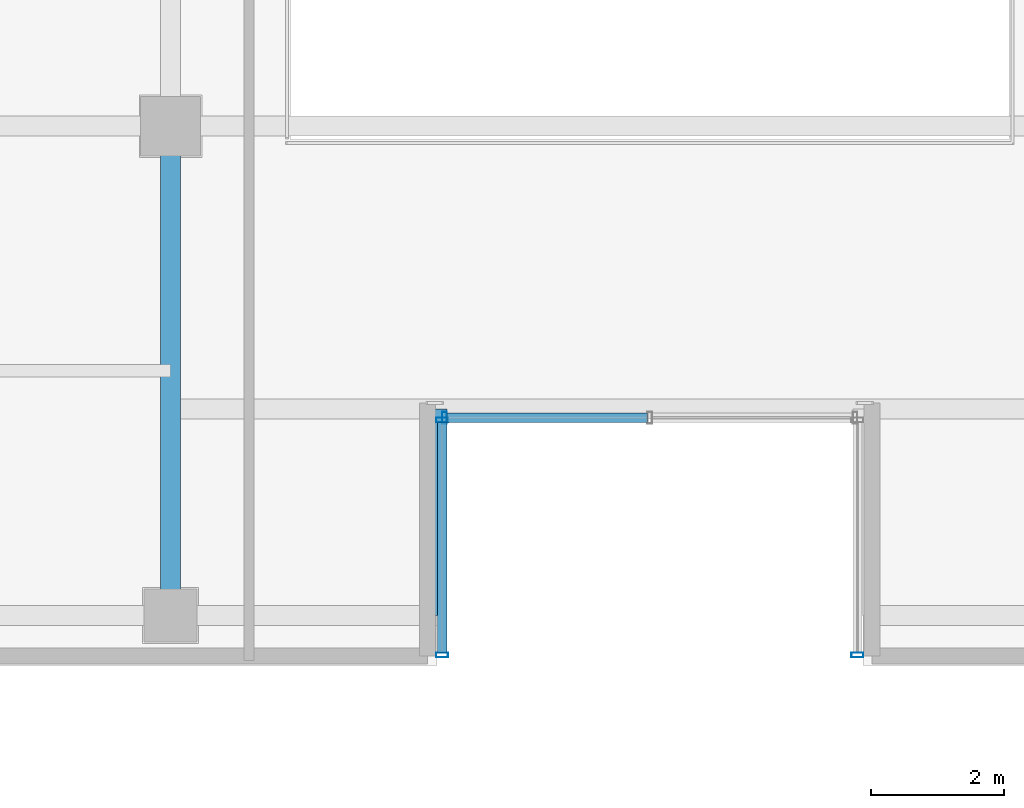
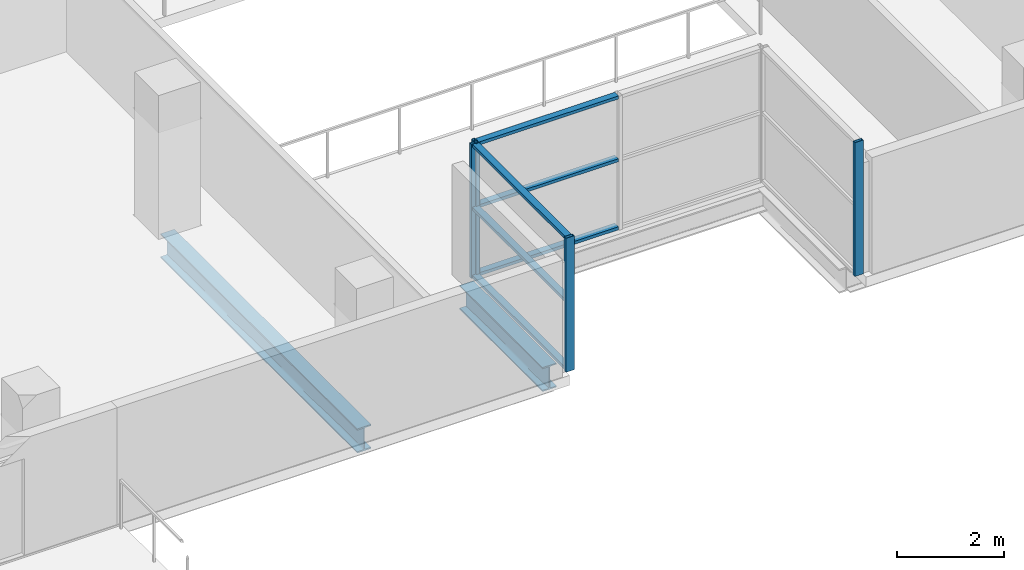
# One storey, part 6 of 24: 10 members, 2 beams, 3 elements without a shape of their own.
"""IFC4 building model written with IfcOpenShell, lengths in metres."""

from ifc_helpers import new_model, si_unit, direction, frame, origin, origin_2d, place, context, subcontext, project, spatial, hollow_rectangle, i_section, extrude, source, transform, mapped, material, layer, layer_set, material_profile, profile_set, type_object, element, aggregate, save


model = new_model("IFC4")

# Units and contexts
model_context = context("Model", 3, precision=1e-05, world=origin(), true_north=direction((0.0, 1.0)))
body_context = subcontext(model_context, "Body", "Model", "MODEL_VIEW")
ifc_project = project(units=[si_unit("LENGTHUNIT", "METRE"), si_unit("AREAUNIT", "SQUARE_METRE"), si_unit("VOLUMEUNIT", "CUBIC_METRE"), si_unit("PLANEANGLEUNIT", "RADIAN"), si_unit("MASSUNIT", "GRAM", prefix="KILO")], contexts=[model_context])

# Site, building, storey
site_placement = place(None, origin())
site = spatial("IfcSite", under=ifc_project, at=site_placement, CompositionType="ELEMENT")
building_placement = place(site_placement, origin())
building = spatial("IfcBuilding", under=site, at=building_placement, Name="Zarnakvel Exchange Tower", CompositionType="ELEMENT")
storey_placement = place(building_placement, frame((0.0, 0.0, 133.0)))
storey = spatial("IfcBuildingStorey", under=building, at=storey_placement, Name="L37", CompositionType="ELEMENT", Elevation=133.0)

# Beams
ifc_material_1 = material(Name="Steel S355", Category="steel")
ifc_material_profile_1 = material_profile(ifc_material_1, i_section(OverallWidth=0.300048828125, OverallDepth=0.550048828125, WebThickness=0.014892578125, FlangeThickness=0.029052734375, FilletRadius=0.027099609375, at=origin_2d()))
ifc_profile_set_1 = profile_set([ifc_material_profile_1], Name="Steel S355")
beam_type = type_object("IfcBeamType", Name="G-05", PredefinedType="BEAM", material=ifc_profile_set_1)
beam_1_placement = place(storey_placement, frame((-3.199951171875, -16.949951171875, -0.5), z_axis=(0.0, 1.0, 0.0), x_axis=(-1.0, 0.0, 0.0)))
element("IfcBeam", 1, at=beam_1_placement, inside=storey, type_object=beam_type, Name="L37 South Slot West Cheek Beam", PredefinedType="BEAM", context=body_context, shape_type="SweptSolid", body=[
    extrude(i_section(OverallWidth=0.300048828125, OverallDepth=0.550048828125, WebThickness=0.014892578125, FlangeThickness=0.029052734375, FilletRadius=0.027099609375, at=origin_2d()), origin(), (0.0, 0.0, 1.0), 3.099853515625),
])
beam_2_placement = place(storey_placement, frame((-7.199951171875, -16.949951171875, -0.5), z_axis=(0.0, 1.0, 0.0), x_axis=(-1.0, 0.0, 0.0)))
element("IfcBeam", 2, at=beam_2_placement, inside=storey, type_object=beam_type, Name="L37 Tower N-S Frame Beam", PredefinedType="BEAM", context=body_context, shape_type="SweptSolid", body=[
    extrude(i_section(OverallWidth=0.300048828125, OverallDepth=0.550048828125, WebThickness=0.014892578125, FlangeThickness=0.029052734375, FilletRadius=0.027099609375, at=origin_2d()), origin(), (0.0, 0.0, 1.0), 7.349853515625),
])

# Curtain wall, members
ifc_material_2 = material(Name="Architectural Bronze Anodised Aluminium", Category="aluminium")
ifc_layer = layer(ifc_material_2, 0.179931640625)
ifc_layer_set = layer_set([ifc_layer], Name="Architectural Bronze Anodised Aluminium")
curtain_wall_type = type_object("IfcCurtainWallType", Name="CW-05", PredefinedType="NOTDEFINED", material=ifc_layer_set)
curtain_wall_1_placement = place(storey_placement, origin())
curtain_wall_1 = element("IfcCurtainWall", 3, at=curtain_wall_1_placement, inside=storey, type_object=curtain_wall_type, Name="L37 Curtain Wall CW-L37-SLW (CW-05)", PredefinedType="NOTDEFINED")
ifc_material_profile_2 = material_profile(ifc_material_2, hollow_rectangle(XDim=0.139892578125, YDim=0.070068359375, WallThickness=0.00390625, at=origin_2d()))
ifc_profile_set_2 = profile_set([ifc_material_profile_2], Name="Architectural Bronze Anodised Aluminium")
member_type_1 = type_object("IfcMemberType", Name="CWT-05", PredefinedType="USERDEFINED", material=ifc_profile_set_2)
shared_shape_1 = source(origin(), body_context, "Body", "SweptSolid", [
    extrude(hollow_rectangle(XDim=0.139892578125, YDim=0.070068359375, WallThickness=0.00390625, at=origin_2d()), origin(), (0.0, 0.0, 1.0), 3.4599609375),
])
member_1_placement = place(storey_placement, frame((-3.1201171875, -17.510009765625, 0.034912109375), z_axis=(0.0, 1.0, 0.0), x_axis=(-1.0, 0.0, 0.0)))
member_1 = element("IfcMember", 4, at=member_1_placement, type_object=member_type_1, Name="CW-05 transom 1.1", ObjectType="TRANSOM", PredefinedType="USERDEFINED", context=body_context, shape_type="MappedRepresentation", body=[
    mapped(shared_shape_1, transform((0.0, 0.0, 0.0), x_axis=(1.0, 0.0, 0.0), y_axis=(0.0, 1.0, 0.0), z_axis=(0.0, 0.0, 1.0), scale=1.0)),
])
member_2_placement = place(storey_placement, frame((-3.1201171875, -17.510009765625, 1.588623046875), z_axis=(0.0, 1.0, 0.0), x_axis=(-1.0, 0.0, 0.0)))
member_2 = element("IfcMember", 5, at=member_2_placement, type_object=member_type_1, Name="CW-05 transom 1.2", ObjectType="TRANSOM", PredefinedType="USERDEFINED", context=body_context, shape_type="MappedRepresentation", body=[
    mapped(shared_shape_1, transform((0.0, 0.0, 0.0), x_axis=(1.0, 0.0, 0.0), y_axis=(0.0, 1.0, 0.0), z_axis=(0.0, 0.0, 1.0), scale=1.0)),
])
member_3_placement = place(storey_placement, frame((-3.1201171875, -17.510009765625, 3.02001953125), z_axis=(0.0, 1.0, 0.0), x_axis=(-1.0, 0.0, 0.0)))
member_3 = element("IfcMember", 6, at=member_3_placement, type_object=member_type_1, Name="CW-05 transom 1.3", ObjectType="TRANSOM", PredefinedType="USERDEFINED", context=body_context, shape_type="MappedRepresentation", body=[
    mapped(shared_shape_1, transform((0.0, 0.0, 0.0), x_axis=(1.0, 0.0, 0.0), y_axis=(0.0, 1.0, 0.0), z_axis=(0.0, 0.0, 1.0), scale=1.0)),
])

curtain_wall_2_placement = place(storey_placement, origin())
curtain_wall_2 = element("IfcCurtainWall", 7, at=curtain_wall_2_placement, inside=storey, type_object=curtain_wall_type, Name="L37 Curtain Wall CW-L37-SLB (CW-05)", PredefinedType="NOTDEFINED")
shared_shape_2 = source(origin(), body_context, "Body", "SweptSolid", [
    extrude(hollow_rectangle(XDim=0.139892578125, YDim=0.070068359375, WallThickness=0.00390625, at=origin_2d()), origin(), (0.0, 0.0, 1.0), 3.01513671875),
])
member_4_placement = place(storey_placement, frame((-3.050048828125, -13.97998046875, 0.034912109375), z_axis=(1.0, 0.0, 0.0), x_axis=(0.0, 1.0, 0.0)))
member_4 = element("IfcMember", 8, at=member_4_placement, type_object=member_type_1, Name="CW-05 transom 1.1", ObjectType="TRANSOM", PredefinedType="USERDEFINED", context=body_context, shape_type="MappedRepresentation", body=[
    mapped(shared_shape_2, transform((0.0, 0.0, 0.0), x_axis=(1.0, 0.0, 0.0), y_axis=(0.0, 1.0, 0.0), z_axis=(0.0, 0.0, 1.0), scale=1.0)),
])
member_5_placement = place(storey_placement, frame((-3.050048828125, -13.97998046875, 1.588623046875), z_axis=(1.0, 0.0, 0.0), x_axis=(0.0, 1.0, 0.0)))
member_5 = element("IfcMember", 9, at=member_5_placement, type_object=member_type_1, Name="CW-05 transom 1.2", ObjectType="TRANSOM", PredefinedType="USERDEFINED", context=body_context, shape_type="MappedRepresentation", body=[
    mapped(shared_shape_2, transform((0.0, 0.0, 0.0), x_axis=(1.0, 0.0, 0.0), y_axis=(0.0, 1.0, 0.0), z_axis=(0.0, 0.0, 1.0), scale=1.0)),
])
member_6_placement = place(storey_placement, frame((-3.050048828125, -13.97998046875, 3.02001953125), z_axis=(1.0, 0.0, 0.0), x_axis=(0.0, 1.0, 0.0)))
member_6 = element("IfcMember", 10, at=member_6_placement, type_object=member_type_1, Name="CW-05 transom 1.3", ObjectType="TRANSOM", PredefinedType="USERDEFINED", context=body_context, shape_type="MappedRepresentation", body=[
    mapped(shared_shape_2, transform((0.0, 0.0, 0.0), x_axis=(1.0, 0.0, 0.0), y_axis=(0.0, 1.0, 0.0), z_axis=(0.0, 0.0, 1.0), scale=1.0)),
])

# Member
ifc_material_profile_3 = material_profile(ifc_material_2, hollow_rectangle(XDim=0.179931640625, YDim=0.070068359375, WallThickness=0.00390625, at=origin_2d()))
ifc_profile_set_3 = profile_set([ifc_material_profile_3], Name="Architectural Bronze Anodised Aluminium")
member_type_2 = type_object("IfcMemberType", Name="CWM-05", PredefinedType="MULLION", material=ifc_profile_set_3)
shared_shape_3 = source(origin(), body_context, "Body", "SweptSolid", [
    extrude(hollow_rectangle(XDim=0.179931640625, YDim=0.070068359375, WallThickness=0.00390625, at=origin_2d()), origin(), (0.0, 0.0, 1.0), 3.054931640625),
])
member_7_placement = place(storey_placement, frame((-3.1201171875, -17.544921875, 0.0), z_axis=(0.0, 0.0, 1.0), x_axis=(-1.0, 0.0, 0.0)))
member_7 = element("IfcMember", 11, at=member_7_placement, type_object=member_type_2, Name="CW-05 mullion 1", PredefinedType="MULLION", context=body_context, shape_type="MappedRepresentation", body=[
    mapped(shared_shape_3, transform((0.0, 0.0, 0.0), x_axis=(1.0, 0.0, 0.0), y_axis=(0.0, 1.0, 0.0), z_axis=(0.0, 0.0, 1.0), scale=1.0)),
])

member_8_placement = place(storey_placement, frame((-3.1201171875, -14.014892578125, 0.0), z_axis=(0.0, 0.0, 1.0), x_axis=(-1.0, 0.0, 0.0)))
member_8 = element("IfcMember", 12, at=member_8_placement, type_object=member_type_2, Name="CW-05 mullion 2", PredefinedType="MULLION", context=body_context, shape_type="MappedRepresentation", body=[
    mapped(shared_shape_3, transform((0.0, 0.0, 0.0), x_axis=(1.0, 0.0, 0.0), y_axis=(0.0, 1.0, 0.0), z_axis=(0.0, 0.0, 1.0), scale=1.0)),
])

aggregate(curtain_wall_1, [member_7, member_8, member_1, member_2, member_3])

member_9_placement = place(storey_placement, frame((-3.0849609375, -13.97998046875, 0.0), z_axis=(0.0, 0.0, 1.0), x_axis=(0.0, 1.0, 0.0)))
member_9 = element("IfcMember", 13, at=member_9_placement, type_object=member_type_2, Name="CW-05 mullion 1", PredefinedType="MULLION", context=body_context, shape_type="MappedRepresentation", body=[
    mapped(shared_shape_3, transform((0.0, 0.0, 0.0), x_axis=(1.0, 0.0, 0.0), y_axis=(0.0, 1.0, 0.0), z_axis=(0.0, 0.0, 1.0), scale=1.0)),
])

aggregate(curtain_wall_2, [member_9, member_4, member_5, member_6])

# Curtain wall, member
curtain_wall_3_placement = place(storey_placement, origin())
curtain_wall_3 = element("IfcCurtainWall", 14, at=curtain_wall_3_placement, inside=storey, type_object=curtain_wall_type, Name="L37 Curtain Wall CW-L37-SLE (CW-05)", PredefinedType="NOTDEFINED")
member_10_placement = place(storey_placement, frame((3.1201171875, -17.544921875, 0.0), z_axis=(0.0, 0.0, 1.0), x_axis=(1.0, 0.0, 0.0)))
member_10 = element("IfcMember", 15, at=member_10_placement, type_object=member_type_2, Name="CW-05 mullion 2", PredefinedType="MULLION", context=body_context, shape_type="MappedRepresentation", body=[
    mapped(shared_shape_3, transform((0.0, 0.0, 0.0), x_axis=(1.0, 0.0, 0.0), y_axis=(0.0, 1.0, 0.0), z_axis=(0.0, 0.0, 1.0), scale=1.0)),
])
aggregate(curtain_wall_3, [member_10])

save(model, "model.ifc")
